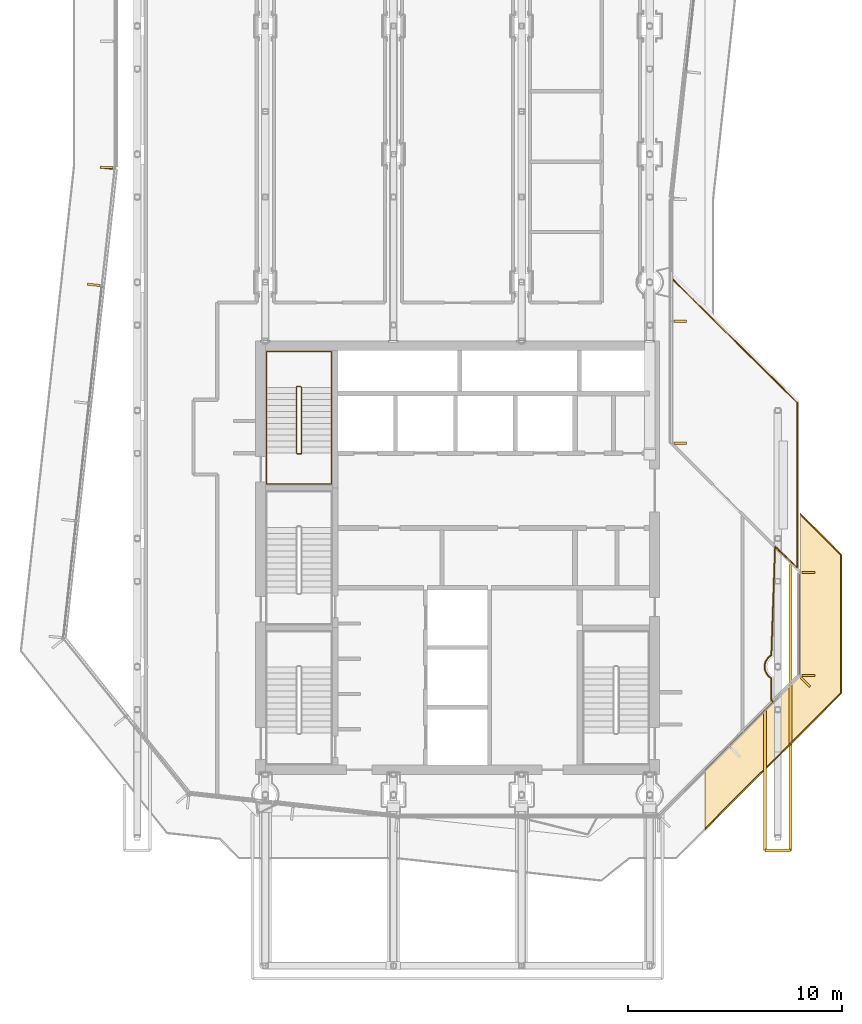
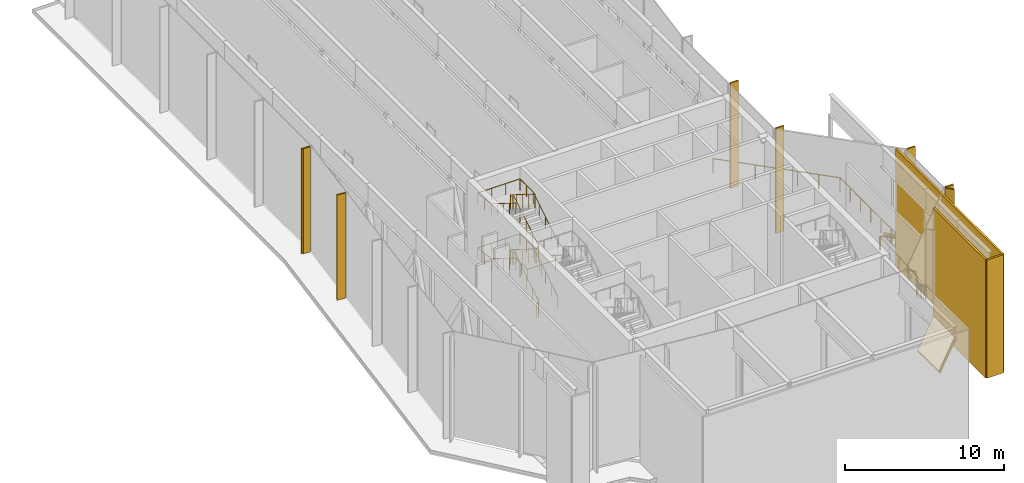
# One storey, part 18 of 21: 13 coverings, 4 railings.
"""IFC4 building model written with IfcOpenShell, lengths in metres."""

from ifc_helpers import new_model, si_unit, direction, frame, origin, origin_2d, place, context, subcontext, project, spatial, polyline, rectangle, circle, outline, extrude, material, layer, layer_set, type_object, element, save


model = new_model("IFC4")

# Units and contexts
model_context = context("Model", 3, precision=1e-05, world=origin(), true_north=direction((0.0, 1.0)))
body_context = subcontext(model_context, "Body", "Model", "MODEL_VIEW")
ifc_project = project(units=[si_unit("LENGTHUNIT", "METRE"), si_unit("AREAUNIT", "SQUARE_METRE"), si_unit("VOLUMEUNIT", "CUBIC_METRE"), si_unit("PLANEANGLEUNIT", "RADIAN"), si_unit("MASSUNIT", "GRAM", prefix="KILO")], contexts=[model_context])

# Site, building, storey
site_placement = place(None, origin())
site = spatial("IfcSite", under=ifc_project, at=site_placement, CompositionType="ELEMENT")
building_placement = place(site_placement, origin())
building = spatial("IfcBuilding", under=site, at=building_placement, Name="Welwitschia Terrace Campus", CompositionType="ELEMENT")
storey_placement = place(building_placement, frame((0.0, 0.0, 255.800048828125)))
storey = spatial("IfcBuildingStorey", under=building, at=storey_placement, Name="L57", CompositionType="ELEMENT", Elevation=255.800048828125)

# Coverings
ifc_material_1 = material(Name="Bronze anodised aluminium", Category="aluminium")
ifc_layer_1 = layer(ifc_material_1, 0.10009765625)
ifc_layer_set_1 = layer_set([ifc_layer_1], Name="Bronze anodised aluminium")
covering_type_1 = type_object("IfcCoveringType", Name="Bronze fin 100x600", PredefinedType="USERDEFINED", material=ifc_layer_set_1)
for number, where, z_axis, x_axis, name in (
    (1, (31.297607421875, 9.275146484375, 0.0), (0.0, 0.0, 1.0), (0.707106781187, 0.707106781187, 0.0), "Fin L57.0.2"),
    (2, (31.429931640625, 9.59521484375, 0.0), (0.0, 0.0, 1.0), (0.0, 1.0, 0.0), "Fin L57.1.0"),
    (3, (31.429931640625, 14.40478515625, 0.0), (0.0, 0.0, 1.0), (0.0, 1.0, 0.0), "Fin L57.1.1"),
    (4, (25.429931640625, 20.46484375, 0.0), (0.0, 0.0, 1.0), (0.0, 1.0, 0.0), "Fin L57.3.0"),
    (5, (25.429931640625, 26.177978515625, 0.0), (0.0, 0.0, 1.0), (0.0, 1.0, 0.0), "Fin L57.3.1"),
    (6, (-1.429931640625, 33.376220703125, 0.0), (0.0, 0.0, 1.0), (0.0, -1.0, 0.0), "Fin L57.7.5"),
    (7, (-1.430908203125, 33.357666015625, 0.0), (0.0, 0.0, 1.0), (-0.108866874852, -0.994056338222, 0.0), "Fin L57.8.0"),
    (8, (-2.03076171875, 27.881103515625, 0.0), (0.0, 0.0, 1.0), (-0.108866874852, -0.994056338222, 0.0), "Fin L57.8.1"),
):
    element("IfcCovering", number, at=place(storey_placement, frame(where, z_axis=z_axis, x_axis=x_axis)), inside=storey, type_object=covering_type_1, Name=name, ObjectType="FIN", PredefinedType="USERDEFINED", context=body_context, shape_type="SweptSolid", body=[
        extrude(rectangle(XDim=0.10009765625, YDim=0.60009765625, at=origin_2d()), origin(), (0.0, 0.0, 1.0), 8.050048828125),
    ])

# Railings
ifc_material_2 = material(Name="Stainless steel grade 316", Category="steel")
railing_type_1 = type_object("IfcRailingType", Name="Guard 1100", PredefinedType="GUARDRAIL", material=ifc_material_2)
railing_1_placement = place(storey_placement, frame((25.050048828125, 28.167724609375, 0.0)))
element("IfcRailing", 9, at=railing_1_placement, inside=storey, type_object=railing_type_1, Name="Guard terrace L57:0:0.0", PredefinedType="GUARDRAIL", context=body_context, shape_type="SweptSolid", body=[
    extrude(circle(Radius=0.02392578125, at=origin_2d()), frame((0.0, 0.0, 1.076171875), z_axis=(0.710434495817, -0.703763331777, 0.0), x_axis=(0.703763331777, 0.710434495817, 0.0)), (0.0, 0.0, 1.0), 8.234130859375),
    extrude(circle(Radius=0.02392578125, at=origin_2d()), frame((5.849853515625, -5.794921875, 1.076171875), z_axis=(0.0, -1.0, 0.0), x_axis=(1.0, 0.0, 0.0)), (0.0, 0.0, 1.0), 7.71728515625),
    extrude(circle(Radius=0.02392578125, at=origin_2d()), frame((5.849853515625, -13.51220703125, 1.076171875), z_axis=(-0.732468662219, 0.680800748286, 0.0), x_axis=(-0.680800748286, -0.732468662219, 0.0)), (0.0, 0.0, 1.0), 1.365478515625),
    extrude(circle(Radius=0.02099609375, at=origin_2d()), origin(), (0.0, 0.0, 1.0), 1.052001953125),
    extrude(circle(Radius=0.02099609375, at=origin_2d()), frame((0.97509765625, -0.9658203125, 0.0)), (0.0, 0.0, 1.0), 1.052001953125),
    extrude(circle(Radius=0.02099609375, at=origin_2d()), frame((1.949951171875, -1.931640625, 0.0)), (0.0, 0.0, 1.0), 1.052001953125),
    extrude(circle(Radius=0.02099609375, at=origin_2d()), frame((2.9248046875, -2.8974609375, 0.0)), (0.0, 0.0, 1.0), 1.052001953125),
    extrude(circle(Radius=0.02099609375, at=origin_2d()), frame((3.89990234375, -3.86328125, 0.0)), (0.0, 0.0, 1.0), 1.052001953125),
    extrude(circle(Radius=0.02099609375, at=origin_2d()), frame((4.875, -4.8291015625, 0.0)), (0.0, 0.0, 1.0), 1.052001953125),
    extrude(circle(Radius=0.02099609375, at=origin_2d()), frame((5.849853515625, -5.794921875, 0.0)), (0.0, 0.0, 1.0), 1.052001953125),
    extrude(circle(Radius=0.02099609375, at=origin_2d()), frame((5.849853515625, -7.0810546875, 0.0)), (0.0, 0.0, 1.0), 1.052001953125),
    extrude(circle(Radius=0.02099609375, at=origin_2d()), frame((5.849853515625, -8.367431640625, 0.0)), (0.0, 0.0, 1.0), 1.052001953125),
    extrude(circle(Radius=0.02099609375, at=origin_2d()), frame((5.849853515625, -9.653564453125, 0.0)), (0.0, 0.0, 1.0), 1.052001953125),
    extrude(circle(Radius=0.02099609375, at=origin_2d()), frame((5.849853515625, -10.939697265625, 0.0)), (0.0, 0.0, 1.0), 1.052001953125),
    extrude(circle(Radius=0.02099609375, at=origin_2d()), frame((5.849853515625, -12.22607421875, 0.0)), (0.0, 0.0, 1.0), 1.052001953125),
    extrude(circle(Radius=0.02099609375, at=origin_2d()), frame((5.849853515625, -13.51220703125, 0.0)), (0.0, 0.0, 1.0), 1.052001953125),
    extrude(circle(Radius=0.02099609375, at=origin_2d()), frame((4.849609375, -12.58251953125, 0.0)), (0.0, 0.0, 1.0), 1.052001953125),
])
railing_2_placement = place(storey_placement, frame((29.868896484375, 15.615966796875, 0.0)))
element("IfcRailing", 10, at=railing_2_placement, inside=storey, type_object=railing_type_1, Name="Guard floor edge L57.4", PredefinedType="GUARDRAIL", context=body_context, shape_type="SweptSolid", body=[
    extrude(circle(Radius=0.02392578125, at=origin_2d()), frame((0.0, 0.0, 1.076171875), z_axis=(-0.034207446634, -0.999414754041, 0.0), x_axis=(0.999414754041, -0.034207446634, 0.0)), (0.0, 0.0, 1.0), 5.08154296875),
    extrude(circle(Radius=0.02392578125, at=origin_2d()), frame((-0.173828125, -5.07861328125, 1.076171875), z_axis=(-0.882203075316, -0.470869126089, 0.0), x_axis=(0.470869126089, -0.882203075316, 0.0)), (0.0, 0.0, 1.0), 0.045166015625),
    extrude(circle(Radius=0.02392578125, at=origin_2d()), frame((-0.213623046875, -5.099853515625, 1.076171875), z_axis=(-0.771988113438, -0.63563696613, 0.0), x_axis=(0.63563696613, -0.771988113438, 0.0)), (0.0, 0.0, 1.0), 0.121826171875),
    extrude(circle(Radius=0.02392578125, at=origin_2d()), frame((-0.3076171875, -5.17724609375, 1.076171875), z_axis=(-0.63563696613, -0.771988113438, 0.0), x_axis=(0.771988113438, -0.63563696613, 0.0)), (0.0, 0.0, 1.0), 0.121826171875),
    extrude(circle(Radius=0.02392578125, at=origin_2d()), frame((-0.385009765625, -5.271240234375, 1.076171875), z_axis=(-0.470379554069, -0.882464206138, 0.0), x_axis=(0.882464206138, -0.470379554069, 0.0)), (0.0, 0.0, 1.0), 0.121337890625),
    extrude(circle(Radius=0.02392578125, at=origin_2d()), frame((-0.442138671875, -5.37841796875, 1.076171875), z_axis=(-0.290842335819, -0.956770994384, 0.0), x_axis=(0.956770994384, -0.290842335819, 0.0)), (0.0, 0.0, 1.0), 0.121826171875),
    extrude(circle(Radius=0.02392578125, at=origin_2d()), frame((-0.4775390625, -5.494873046875, 1.076171875), z_axis=(-0.098311749281, -0.995155666192, 0.0), x_axis=(0.995155666192, -0.098311749281, 0.0)), (0.0, 0.0, 1.0), 0.12158203125),
    extrude(circle(Radius=0.02392578125, at=origin_2d()), frame((-0.489501953125, -5.615966796875, 1.076171875), z_axis=(0.098311749281, -0.995155666192, 0.0), x_axis=(0.995155666192, 0.098311749281, 0.0)), (0.0, 0.0, 1.0), 0.12158203125),
    extrude(circle(Radius=0.02392578125, at=origin_2d()), frame((-0.4775390625, -5.737060546875, 1.076171875), z_axis=(0.290842335819, -0.956770994384, 0.0), x_axis=(0.956770994384, 0.290842335819, 0.0)), (0.0, 0.0, 1.0), 0.121826171875),
    extrude(circle(Radius=0.02392578125, at=origin_2d()), frame((-0.442138671875, -5.853515625, 1.076171875), z_axis=(0.470379554069, -0.882464206138, 0.0), x_axis=(0.882464206138, 0.470379554069, 0.0)), (0.0, 0.0, 1.0), 0.121337890625),
    extrude(circle(Radius=0.02392578125, at=origin_2d()), frame((-0.385009765625, -5.960693359375, 1.076171875), z_axis=(0.63563696613, -0.771988113438, 0.0), x_axis=(0.771988113438, 0.63563696613, 0.0)), (0.0, 0.0, 1.0), 0.121826171875),
    extrude(circle(Radius=0.02392578125, at=origin_2d()), frame((-0.3076171875, -6.0546875, 1.076171875), z_axis=(0.771988113438, -0.63563696613, 0.0), x_axis=(0.63563696613, 0.771988113438, 0.0)), (0.0, 0.0, 1.0), 0.121826171875),
    extrude(circle(Radius=0.02392578125, at=origin_2d()), frame((-0.213623046875, -6.132080078125, 1.076171875), z_axis=(0.882203075316, -0.470869126089, 0.0), x_axis=(0.470869126089, 0.882203075316, 0.0)), (0.0, 0.0, 1.0), 0.045166015625),
    extrude(circle(Radius=0.02392578125, at=origin_2d()), frame((-0.173828125, -6.1533203125, 1.076171875), z_axis=(0.0, -1.0, 0.0), x_axis=(1.0, 0.0, 0.0)), (0.0, 0.0, 1.0), 1.01220703125),
    extrude(circle(Radius=0.02392578125, at=origin_2d()), frame((-0.173828125, -7.16552734375, 1.076171875), z_axis=(0.521054418553, -0.853523457737, 0.0), x_axis=(0.853523457737, 0.521054418553, 0.0)), (0.0, 0.0, 1.0), 0.1748046875),
    extrude(circle(Radius=0.02099609375, at=origin_2d()), origin(), (0.0, 0.0, 1.0), 1.052001953125),
    extrude(circle(Radius=0.02099609375, at=origin_2d()), frame((-0.04345703125, -1.26953125, 0.0)), (0.0, 0.0, 1.0), 1.052001953125),
    extrude(circle(Radius=0.02099609375, at=origin_2d()), frame((-0.0869140625, -2.539306640625, 0.0)), (0.0, 0.0, 1.0), 1.052001953125),
    extrude(circle(Radius=0.02099609375, at=origin_2d()), frame((-0.13037109375, -3.80908203125, 0.0)), (0.0, 0.0, 1.0), 1.052001953125),
    extrude(circle(Radius=0.02099609375, at=origin_2d()), frame((-0.173828125, -5.07861328125, 0.0)), (0.0, 0.0, 1.0), 1.052001953125),
    extrude(circle(Radius=0.02099609375, at=origin_2d()), frame((-0.213623046875, -5.099853515625, 0.0)), (0.0, 0.0, 1.0), 1.052001953125),
    extrude(circle(Radius=0.02099609375, at=origin_2d()), frame((-0.3076171875, -5.17724609375, 0.0)), (0.0, 0.0, 1.0), 1.052001953125),
    extrude(circle(Radius=0.02099609375, at=origin_2d()), frame((-0.385009765625, -5.271240234375, 0.0)), (0.0, 0.0, 1.0), 1.052001953125),
    extrude(circle(Radius=0.02099609375, at=origin_2d()), frame((-0.442138671875, -5.37841796875, 0.0)), (0.0, 0.0, 1.0), 1.052001953125),
    extrude(circle(Radius=0.02099609375, at=origin_2d()), frame((-0.4775390625, -5.494873046875, 0.0)), (0.0, 0.0, 1.0), 1.052001953125),
    extrude(circle(Radius=0.02099609375, at=origin_2d()), frame((-0.489501953125, -5.615966796875, 0.0)), (0.0, 0.0, 1.0), 1.052001953125),
    extrude(circle(Radius=0.02099609375, at=origin_2d()), frame((-0.4775390625, -5.737060546875, 0.0)), (0.0, 0.0, 1.0), 1.052001953125),
    extrude(circle(Radius=0.02099609375, at=origin_2d()), frame((-0.442138671875, -5.853515625, 0.0)), (0.0, 0.0, 1.0), 1.052001953125),
    extrude(circle(Radius=0.02099609375, at=origin_2d()), frame((-0.385009765625, -5.960693359375, 0.0)), (0.0, 0.0, 1.0), 1.052001953125),
    extrude(circle(Radius=0.02099609375, at=origin_2d()), frame((-0.3076171875, -6.0546875, 0.0)), (0.0, 0.0, 1.0), 1.052001953125),
    extrude(circle(Radius=0.02099609375, at=origin_2d()), frame((-0.213623046875, -6.132080078125, 0.0)), (0.0, 0.0, 1.0), 1.052001953125),
    extrude(circle(Radius=0.02099609375, at=origin_2d()), frame((-0.173828125, -6.1533203125, 0.0)), (0.0, 0.0, 1.0), 1.052001953125),
    extrude(circle(Radius=0.02099609375, at=origin_2d()), frame((-0.173828125, -7.16552734375, 0.0)), (0.0, 0.0, 1.0), 1.052001953125),
    extrude(circle(Radius=0.02099609375, at=origin_2d()), frame((-0.082763671875, -7.314697265625, 0.0)), (0.0, 0.0, 1.0), 1.052001953125),
])

# Coverings
ifc_material_3 = material(Name="Bronze anodised aluminium", Category="aluminium")
ifc_layer_2 = layer(ifc_material_3, 0.139892578125)
ifc_layer_set_2 = layer_set([ifc_layer_2], Name="Bronze anodised aluminium")
covering_type_2 = type_object("IfcCoveringType", Name="Soffit fascia cladding 140", PredefinedType="CLADDING", material=ifc_layer_set_2)
covering_1_placement = place(storey_placement, frame((0.0, 0.0, -1.0)))
element("IfcCovering", 11, at=covering_1_placement, inside=storey, type_object=covering_type_2, Name="Clad fascia L57.tip fascia St2 end", PredefinedType="CLADDING", context=body_context, shape_type="SweptSolid", body=[
    extrude(outline(polyline([(30.60009765625, 1.469970703125), (29.39990234375, 1.469970703125), (29.39990234375, 1.330078125), (30.60009765625, 1.330078125), (30.60009765625, 1.469970703125)])), origin(), (0.0, 0.0, 1.0), 9.050048828125),
])
covering_2_placement = place(storey_placement, frame((0.0, 0.0, -1.0)))
element("IfcCovering", 12, at=covering_2_placement, inside=storey, type_object=covering_type_2, Name="Clad fascia L57.tip fascia St2 w", PredefinedType="CLADDING", context=body_context, shape_type="SweptSolid", body=[
    extrude(outline(polyline([(29.469970703125, 1.39990234375), (29.469970703125, 7.95751953125), (29.330078125, 7.95751953125), (29.330078125, 1.39990234375), (29.469970703125, 1.39990234375)])), origin(), (0.0, 0.0, 1.0), 9.050048828125),
])
covering_3_placement = place(storey_placement, frame((0.0, 0.0, -1.0)))
element("IfcCovering", 13, at=covering_3_placement, inside=storey, type_object=covering_type_2, Name="Clad fascia L57.tip fascia St2 e", PredefinedType="CLADDING", context=body_context, shape_type="SweptSolid", body=[
    extrude(outline(polyline([(30.669921875, 1.39990234375), (30.669921875, 14.785888671875), (30.530029296875, 14.785888671875), (30.530029296875, 1.39990234375), (30.669921875, 1.39990234375)])), origin(), (0.0, 0.0, 1.0), 9.050048828125),
])

# Railings
ifc_material_4 = material(Name="Steel S355", Category="steel")
railing_type_2 = type_object("IfcRailingType", Name="Stair guard 1100", PredefinedType="GUARDRAIL", material=ifc_material_4)
railing_3_placement = place(storey_placement, frame((7.5, 19.949951171875, 0.0)))
element("IfcRailing", 14, at=railing_3_placement, inside=storey, type_object=railing_type_2, Name="L57 S4 stair guard", PredefinedType="GUARDRAIL", context=body_context, shape_type="SweptSolid", body=[
    extrude(circle(Radius=0.02392578125, at=origin_2d()), frame((0.0, 0.0, 1.076171875), z_axis=(1.0, 0.0, 0.0), x_axis=(0.0, 1.0, 0.0)), (0.0, 0.0, 1.0), 0.14990234375),
    extrude(circle(Radius=0.02392578125, at=origin_2d()), frame((0.14990234375, 0.0, 1.076171875), z_axis=(0.265065253269, 0.265065253269, 0.927081885822), x_axis=(-0.707106781187, 0.707106781187, 0.0)), (0.0, 0.0, 1.0), 0.188720703125),
    extrude(circle(Radius=0.02392578125, at=origin_2d()), frame((0.199951171875, 0.050048828125, 1.2509765625), z_axis=(0.0, 0.848028513186, 0.529950602248), x_axis=(-1.0, 0.0, 0.0)), (0.0, 0.0, 1.0), 3.632080078125),
    extrude(circle(Radius=0.02392578125, at=origin_2d()), frame((0.199951171875, 3.130126953125, 3.17578125), z_axis=(-0.708833529934, 0.705375805398, 0.0), x_axis=(-0.705375805398, -0.708833529934, 0.0)), (0.0, 0.0, 1.0), 0.070556640625),
    extrude(circle(Radius=0.02392578125, at=origin_2d()), frame((0.14990234375, 3.179931640625, 3.17578125), z_axis=(-1.0, 0.0, 0.0), x_axis=(0.0, -1.0, 0.0)), (0.0, 0.0, 1.0), 0.14990234375),
    extrude(circle(Radius=0.02392578125, at=origin_2d()), frame((0.0, 3.179931640625, 3.17578125), z_axis=(-0.265155923931, -0.263862480399, 0.927399011991), x_axis=(0.705375805398, -0.708833529934, 0.0)), (0.0, 0.0, 1.0), 0.188720703125),
    extrude(circle(Radius=0.02392578125, at=origin_2d()), frame((-0.050048828125, 3.130126953125, 3.35107421875), z_axis=(0.0, -0.847998304005, 0.529998940003), x_axis=(1.0, 0.0, 0.0)), (0.0, 0.0, 1.0), 3.632080078125),
    extrude(circle(Radius=0.02392578125, at=origin_2d()), frame((-0.050048828125, 0.050048828125, 5.27587890625), z_axis=(0.970072785993, -0.242814311512, 0.0), x_axis=(0.242814311512, 0.970072785993, 0.0)), (0.0, 0.0, 1.0), 0.2060546875),
    extrude(circle(Radius=0.02392578125, at=origin_2d()), frame((0.14990234375, 0.0, 5.27587890625), z_axis=(-1.0, 0.0, 0.0), x_axis=(0.0, -1.0, 0.0)), (0.0, 0.0, 1.0), 0.14990234375),
    extrude(circle(Radius=0.02392578125, at=origin_2d()), frame((0.0, 0.0, 5.27587890625), z_axis=(0.739407315901, 0.185077533284, 0.647319957877), x_axis=(-0.242814311512, 0.970072785993, 0.0)), (0.0, 0.0, 1.0), 0.2705078125),
    extrude(circle(Radius=0.02392578125, at=origin_2d()), frame((0.199951171875, 0.050048828125, 5.451171875), z_axis=(0.0, 0.847998304005, 0.529998940003), x_axis=(-1.0, 0.0, 0.0)), (0.0, 0.0, 1.0), 3.632080078125),
    extrude(circle(Radius=0.02392578125, at=origin_2d()), frame((0.199951171875, 3.130126953125, 7.3759765625), z_axis=(-0.708833529934, 0.705375805398, 0.0), x_axis=(-0.705375805398, -0.708833529934, 0.0)), (0.0, 0.0, 1.0), 0.070556640625),
    extrude(circle(Radius=0.02392578125, at=origin_2d()), frame((0.14990234375, 3.179931640625, 7.3759765625), z_axis=(-1.0, 0.0, 0.0), x_axis=(0.0, -1.0, 0.0)), (0.0, 0.0, 1.0), 0.14990234375),
    extrude(circle(Radius=0.02392578125, at=origin_2d()), frame((0.0, 3.179931640625, 7.3759765625), z_axis=(-0.265474339444, -0.264179342666, 0.927217692888), x_axis=(0.705375805398, -0.708833529934, 0.0)), (0.0, 0.0, 1.0), 0.1884765625),
    extrude(circle(Radius=0.02392578125, at=origin_2d()), frame((-0.050048828125, 3.130126953125, 7.55078125), z_axis=(0.0, -0.847998304005, 0.529998940003), x_axis=(1.0, 0.0, 0.0)), (0.0, 0.0, 1.0), 3.632080078125),
    extrude(circle(Radius=0.02099609375, at=origin_2d()), origin(), (0.0, 0.0, 1.0), 1.052001953125),
    extrude(circle(Radius=0.02099609375, at=origin_2d()), frame((0.14990234375, 0.0, 0.0)), (0.0, 0.0, 1.0), 1.052001953125),
    extrude(circle(Radius=0.02099609375, at=origin_2d()), frame((0.199951171875, 0.050048828125, 0.175048828125)), (0.0, 0.0, 1.0), 1.052001953125),
    extrude(circle(Radius=0.02099609375, at=origin_2d()), frame((0.199951171875, 0.820068359375, 0.65625)), (0.0, 0.0, 1.0), 1.052001953125),
    extrude(circle(Radius=0.02099609375, at=origin_2d()), frame((0.199951171875, 1.590087890625, 1.137451171875)), (0.0, 0.0, 1.0), 1.052001953125),
    extrude(circle(Radius=0.02099609375, at=origin_2d()), frame((0.199951171875, 2.360107421875, 1.61865234375)), (0.0, 0.0, 1.0), 1.052001953125),
    extrude(circle(Radius=0.02099609375, at=origin_2d()), frame((0.199951171875, 3.130126953125, 2.099853515625)), (0.0, 0.0, 1.0), 1.052001953125),
    extrude(circle(Radius=0.02099609375, at=origin_2d()), frame((0.14990234375, 3.179931640625, 2.099853515625)), (0.0, 0.0, 1.0), 1.052001953125),
    extrude(circle(Radius=0.02099609375, at=origin_2d()), frame((0.0, 3.179931640625, 2.099853515625)), (0.0, 0.0, 1.0), 1.052001953125),
    extrude(circle(Radius=0.02099609375, at=origin_2d()), frame((-0.050048828125, 3.130126953125, 2.27490234375)), (0.0, 0.0, 1.0), 1.052001953125),
    extrude(circle(Radius=0.02099609375, at=origin_2d()), frame((-0.050048828125, 2.360107421875, 2.756103515625)), (0.0, 0.0, 1.0), 1.052001953125),
    extrude(circle(Radius=0.02099609375, at=origin_2d()), frame((-0.050048828125, 1.590087890625, 3.2373046875)), (0.0, 0.0, 1.0), 1.052001953125),
    extrude(circle(Radius=0.02099609375, at=origin_2d()), frame((-0.050048828125, 0.820068359375, 3.71875)), (0.0, 0.0, 1.0), 1.052001953125),
    extrude(circle(Radius=0.02099609375, at=origin_2d()), frame((-0.050048828125, 0.050048828125, 4.199951171875)), (0.0, 0.0, 1.0), 1.052001953125),
    extrude(circle(Radius=0.02099609375, at=origin_2d()), frame((0.14990234375, 0.0, 4.199951171875)), (0.0, 0.0, 1.0), 1.052001953125),
    extrude(circle(Radius=0.02099609375, at=origin_2d()), frame((0.0, 0.0, 4.199951171875)), (0.0, 0.0, 1.0), 1.052001953125),
    extrude(circle(Radius=0.02099609375, at=origin_2d()), frame((0.199951171875, 0.050048828125, 4.375)), (0.0, 0.0, 1.0), 1.052001953125),
    extrude(circle(Radius=0.02099609375, at=origin_2d()), frame((0.199951171875, 0.820068359375, 4.856201171875)), (0.0, 0.0, 1.0), 1.052001953125),
    extrude(circle(Radius=0.02099609375, at=origin_2d()), frame((0.199951171875, 1.590087890625, 5.33740234375)), (0.0, 0.0, 1.0), 1.052001953125),
    extrude(circle(Radius=0.02099609375, at=origin_2d()), frame((0.199951171875, 2.360107421875, 5.81884765625)), (0.0, 0.0, 1.0), 1.052001953125),
    extrude(circle(Radius=0.02099609375, at=origin_2d()), frame((0.199951171875, 3.130126953125, 6.300048828125)), (0.0, 0.0, 1.0), 1.052001953125),
    extrude(circle(Radius=0.02099609375, at=origin_2d()), frame((0.14990234375, 3.179931640625, 6.300048828125)), (0.0, 0.0, 1.0), 1.052001953125),
    extrude(circle(Radius=0.02099609375, at=origin_2d()), frame((0.0, 3.179931640625, 6.300048828125)), (0.0, 0.0, 1.0), 1.052001953125),
    extrude(circle(Radius=0.02099609375, at=origin_2d()), frame((-0.050048828125, 3.130126953125, 6.474853515625)), (0.0, 0.0, 1.0), 1.052001953125),
    extrude(circle(Radius=0.02099609375, at=origin_2d()), frame((-0.050048828125, 2.360107421875, 6.9560546875)), (0.0, 0.0, 1.0), 1.052001953125),
    extrude(circle(Radius=0.02099609375, at=origin_2d()), frame((-0.050048828125, 1.590087890625, 7.4375)), (0.0, 0.0, 1.0), 1.052001953125),
    extrude(circle(Radius=0.02099609375, at=origin_2d()), frame((-0.050048828125, 0.820068359375, 7.918701171875)), (0.0, 0.0, 1.0), 1.052001953125),
    extrude(circle(Radius=0.02099609375, at=origin_2d()), frame((-0.050048828125, 0.050048828125, 8.39990234375)), (0.0, 0.0, 1.0), 1.052001953125),
])
ifc_material_5 = material(Name="Steel S355", Category="steel")
railing_type_3 = type_object("IfcRailingType", Name="Stair handrail 900", PredefinedType="HANDRAIL", material=ifc_material_5)
railing_4_placement = place(storey_placement, frame((9.10009765625, 20.0, 0.175048828125)))
element("IfcRailing", 15, at=railing_4_placement, inside=storey, type_object=railing_type_3, Name="L57 S4 stair handrail", PredefinedType="HANDRAIL", context=body_context, shape_type="SweptSolid", body=[
    extrude(circle(Radius=0.02392578125, at=origin_2d()), frame((0.0, 0.0, 0.8759765625), z_axis=(0.0, 0.848028513186, 0.529950602248), x_axis=(-1.0, 0.0, 0.0)), (0.0, 0.0, 1.0), 3.632080078125),
    extrude(circle(Radius=0.02392578125, at=origin_2d()), frame((0.0, 3.080078125, 2.80078125), z_axis=(0.0, 1.0, 0.0), x_axis=(-1.0, 0.0, 0.0)), (0.0, 0.0, 1.0), 1.669921875),
    extrude(circle(Radius=0.02392578125, at=origin_2d()), frame((0.0, 4.75, 2.80078125), z_axis=(-1.0, 0.0, 0.0), x_axis=(0.0, -1.0, 0.0)), (0.0, 0.0, 1.0), 3.050048828125),
    extrude(circle(Radius=0.02392578125, at=origin_2d()), frame((-3.050048828125, 4.75, 2.80078125), z_axis=(0.0, -0.99455077262, 0.104253348533), x_axis=(1.0, 0.0, 0.0)), (0.0, 0.0, 1.0), 1.678955078125),
    extrude(circle(Radius=0.02392578125, at=origin_2d()), frame((-3.050048828125, 3.080078125, 2.9755859375), z_axis=(0.0, -0.847998304005, 0.529998940003), x_axis=(1.0, 0.0, 0.0)), (0.0, 0.0, 1.0), 3.632080078125),
    extrude(circle(Radius=0.02392578125, at=origin_2d()), frame((-3.050048828125, 0.0, 4.90087890625), z_axis=(0.0, -1.0, 0.0), x_axis=(1.0, 0.0, 0.0)), (0.0, 0.0, 1.0), 1.449951171875),
    extrude(circle(Radius=0.02392578125, at=origin_2d()), frame((-3.050048828125, -1.449951171875, 4.90087890625), z_axis=(1.0, 0.0, 0.0), x_axis=(0.0, 1.0, 0.0)), (0.0, 0.0, 1.0), 3.050048828125),
    extrude(circle(Radius=0.02392578125, at=origin_2d()), frame((0.0, -1.449951171875, 4.90087890625), z_axis=(0.0, 0.992791155251, 0.119857090136), x_axis=(-1.0, 0.0, 0.0)), (0.0, 0.0, 1.0), 1.46044921875),
    extrude(circle(Radius=0.02392578125, at=origin_2d()), frame((0.0, 0.0, 5.07568359375), z_axis=(0.0, 0.847998304005, 0.529998940003), x_axis=(-1.0, 0.0, 0.0)), (0.0, 0.0, 1.0), 3.632080078125),
    extrude(circle(Radius=0.02392578125, at=origin_2d()), frame((0.0, 3.080078125, 7.0009765625), z_axis=(0.0, 1.0, 0.0), x_axis=(-1.0, 0.0, 0.0)), (0.0, 0.0, 1.0), 1.669921875),
    extrude(circle(Radius=0.02392578125, at=origin_2d()), frame((0.0, 4.75, 7.0009765625), z_axis=(-1.0, 0.0, 0.0), x_axis=(0.0, -1.0, 0.0)), (0.0, 0.0, 1.0), 3.050048828125),
    extrude(circle(Radius=0.02392578125, at=origin_2d()), frame((-3.050048828125, 4.75, 7.0009765625), z_axis=(0.0, -0.994565838508, 0.104109523446), x_axis=(1.0, 0.0, 0.0)), (0.0, 0.0, 1.0), 1.678955078125),
    extrude(circle(Radius=0.02392578125, at=origin_2d()), frame((-3.050048828125, 3.080078125, 7.17578125), z_axis=(0.0, -0.847998304005, 0.529998940003), x_axis=(1.0, 0.0, 0.0)), (0.0, 0.0, 1.0), 3.632080078125),
    extrude(circle(Radius=0.02099609375, at=origin_2d()), origin(), (0.0, 0.0, 1.0), 0.851806640625),
    extrude(circle(Radius=0.02099609375, at=origin_2d()), frame((0.0, 0.77001953125, 0.481201171875)), (0.0, 0.0, 1.0), 0.851806640625),
    extrude(circle(Radius=0.02099609375, at=origin_2d()), frame((0.0, 1.5400390625, 0.96240234375)), (0.0, 0.0, 1.0), 0.851806640625),
    extrude(circle(Radius=0.02099609375, at=origin_2d()), frame((0.0, 2.31005859375, 1.443603515625)), (0.0, 0.0, 1.0), 0.851806640625),
    extrude(circle(Radius=0.02099609375, at=origin_2d()), frame((0.0, 3.080078125, 1.9248046875)), (0.0, 0.0, 1.0), 0.851806640625),
    extrude(circle(Radius=0.02099609375, at=origin_2d()), frame((0.0, 3.9150390625, 1.9248046875)), (0.0, 0.0, 1.0), 0.851806640625),
    extrude(circle(Radius=0.02099609375, at=origin_2d()), frame((0.0, 4.75, 1.9248046875)), (0.0, 0.0, 1.0), 0.851806640625),
    extrude(circle(Radius=0.02099609375, at=origin_2d()), frame((-1.0166015625, 4.75, 1.9248046875)), (0.0, 0.0, 1.0), 0.851806640625),
    extrude(circle(Radius=0.02099609375, at=origin_2d()), frame((-2.033447265625, 4.75, 1.9248046875)), (0.0, 0.0, 1.0), 0.851806640625),
    extrude(circle(Radius=0.02099609375, at=origin_2d()), frame((-3.050048828125, 4.75, 1.9248046875)), (0.0, 0.0, 1.0), 0.851806640625),
    extrude(circle(Radius=0.02099609375, at=origin_2d()), frame((-3.050048828125, 3.9150390625, 2.01220703125)), (0.0, 0.0, 1.0), 0.851806640625),
    extrude(circle(Radius=0.02099609375, at=origin_2d()), frame((-3.050048828125, 3.080078125, 2.099853515625)), (0.0, 0.0, 1.0), 0.851806640625),
    extrude(circle(Radius=0.02099609375, at=origin_2d()), frame((-3.050048828125, 2.31005859375, 2.5810546875)), (0.0, 0.0, 1.0), 0.851806640625),
    extrude(circle(Radius=0.02099609375, at=origin_2d()), frame((-3.050048828125, 1.5400390625, 3.0625)), (0.0, 0.0, 1.0), 0.851806640625),
    extrude(circle(Radius=0.02099609375, at=origin_2d()), frame((-3.050048828125, 0.77001953125, 3.543701171875)), (0.0, 0.0, 1.0), 0.851806640625),
    extrude(circle(Radius=0.02099609375, at=origin_2d()), frame((-3.050048828125, 0.0, 4.02490234375)), (0.0, 0.0, 1.0), 0.851806640625),
    extrude(circle(Radius=0.02099609375, at=origin_2d()), frame((-3.050048828125, -0.72509765625, 4.02490234375)), (0.0, 0.0, 1.0), 0.851806640625),
    extrude(circle(Radius=0.02099609375, at=origin_2d()), frame((-3.050048828125, -1.449951171875, 4.02490234375)), (0.0, 0.0, 1.0), 0.851806640625),
    extrude(circle(Radius=0.02099609375, at=origin_2d()), frame((-2.033447265625, -1.449951171875, 4.02490234375)), (0.0, 0.0, 1.0), 0.851806640625),
    extrude(circle(Radius=0.02099609375, at=origin_2d()), frame((-1.0166015625, -1.449951171875, 4.02490234375)), (0.0, 0.0, 1.0), 0.851806640625),
    extrude(circle(Radius=0.02099609375, at=origin_2d()), frame((0.0, -1.449951171875, 4.02490234375)), (0.0, 0.0, 1.0), 0.851806640625),
    extrude(circle(Radius=0.02099609375, at=origin_2d()), frame((0.0, -0.72509765625, 4.1123046875)), (0.0, 0.0, 1.0), 0.851806640625),
    extrude(circle(Radius=0.02099609375, at=origin_2d()), frame((0.0, 0.0, 4.199951171875)), (0.0, 0.0, 1.0), 0.851806640625),
    extrude(circle(Radius=0.02099609375, at=origin_2d()), frame((0.0, 0.77001953125, 4.68115234375)), (0.0, 0.0, 1.0), 0.851806640625),
    extrude(circle(Radius=0.02099609375, at=origin_2d()), frame((0.0, 1.5400390625, 5.16259765625)), (0.0, 0.0, 1.0), 0.851806640625),
    extrude(circle(Radius=0.02099609375, at=origin_2d()), frame((0.0, 2.31005859375, 5.643798828125)), (0.0, 0.0, 1.0), 0.851806640625),
    extrude(circle(Radius=0.02099609375, at=origin_2d()), frame((0.0, 3.080078125, 6.125)), (0.0, 0.0, 1.0), 0.851806640625),
    extrude(circle(Radius=0.02099609375, at=origin_2d()), frame((0.0, 3.9150390625, 6.125)), (0.0, 0.0, 1.0), 0.851806640625),
    extrude(circle(Radius=0.02099609375, at=origin_2d()), frame((0.0, 4.75, 6.125)), (0.0, 0.0, 1.0), 0.851806640625),
    extrude(circle(Radius=0.02099609375, at=origin_2d()), frame((-1.0166015625, 4.75, 6.125)), (0.0, 0.0, 1.0), 0.851806640625),
    extrude(circle(Radius=0.02099609375, at=origin_2d()), frame((-2.033447265625, 4.75, 6.125)), (0.0, 0.0, 1.0), 0.851806640625),
    extrude(circle(Radius=0.02099609375, at=origin_2d()), frame((-3.050048828125, 4.75, 6.125)), (0.0, 0.0, 1.0), 0.851806640625),
    extrude(circle(Radius=0.02099609375, at=origin_2d()), frame((-3.050048828125, 3.9150390625, 6.21240234375)), (0.0, 0.0, 1.0), 0.851806640625),
    extrude(circle(Radius=0.02099609375, at=origin_2d()), frame((-3.050048828125, 3.080078125, 6.2998046875)), (0.0, 0.0, 1.0), 0.851806640625),
    extrude(circle(Radius=0.02099609375, at=origin_2d()), frame((-3.050048828125, 2.31005859375, 6.781005859375)), (0.0, 0.0, 1.0), 0.851806640625),
    extrude(circle(Radius=0.02099609375, at=origin_2d()), frame((-3.050048828125, 1.5400390625, 7.26220703125)), (0.0, 0.0, 1.0), 0.851806640625),
    extrude(circle(Radius=0.02099609375, at=origin_2d()), frame((-3.050048828125, 0.77001953125, 7.74365234375)), (0.0, 0.0, 1.0), 0.851806640625),
    extrude(circle(Radius=0.02099609375, at=origin_2d()), frame((-3.050048828125, 0.0, 8.224853515625)), (0.0, 0.0, 1.0), 0.851806640625),
])

# Coverings
ifc_material_6 = material(Name="Bronze anodised aluminium", Category="aluminium")
ifc_layer_3 = layer(ifc_material_6, 0.1201171875)
ifc_layer_set_3 = layer_set([ifc_layer_3], Name="Bronze anodised aluminium")
covering_type_3 = type_object("IfcCoveringType", Name="Sunshade band 2000", PredefinedType="USERDEFINED", material=ifc_layer_set_3)
covering_4_placement = place(storey_placement, frame((0.0, 0.0, -0.300048828125)))
element("IfcCovering", 16, at=covering_4_placement, inside=storey, type_object=covering_type_3, Name="SUNSHADE L57.SE1", ObjectType="SUNSHADE", PredefinedType="USERDEFINED", context=body_context, shape_type="SweptSolid", body=[
    extrude(outline(polyline([(33.0, 8.75732421875), (26.58984375, 2.34716796875), (26.58984375, 5.175537109375), (31.0, 9.585693359375), (31.0, 14.343505859375), (31.050048828125, 14.29345703125), (31.050048828125, 17.192626953125), (33.0, 15.24267578125), (33.0, 8.75732421875)])), origin(), (0.0, 0.0, 1.0), 0.1201171875),
])
ifc_material_7 = material(Name="Bronze anodised aluminium", Category="aluminium")
ifc_layer_4 = layer(ifc_material_7, 0.06005859375)
ifc_layer_set_4 = layer_set([ifc_layer_4], Name="Bronze anodised aluminium")
covering_type_4 = type_object("IfcCoveringType", Name="Sunshade lip 60", PredefinedType="USERDEFINED", material=ifc_layer_set_4)
covering_5_placement = place(storey_placement, frame((0.0, 0.0, -0.179931640625)))
element("IfcCovering", 17, at=covering_5_placement, inside=storey, type_object=covering_type_4, Name="SUNSHADE LIP L57.SE1.0", ObjectType="SUNSHADE", PredefinedType="USERDEFINED", context=body_context, shape_type="SweptSolid", body=[
    extrude(outline(polyline([(26.58984375, 2.34716796875), (26.58984375, 2.431884765625), (32.93994140625, 8.7822265625), (32.93994140625, 15.2177734375), (31.050048828125, 17.10791015625), (31.050048828125, 17.192626953125), (33.0, 15.24267578125), (33.0, 8.75732421875), (26.58984375, 2.34716796875)])), origin(), (0.0, 0.0, 1.0), 0.179931640625),
])

save(model, "model.ifc")
